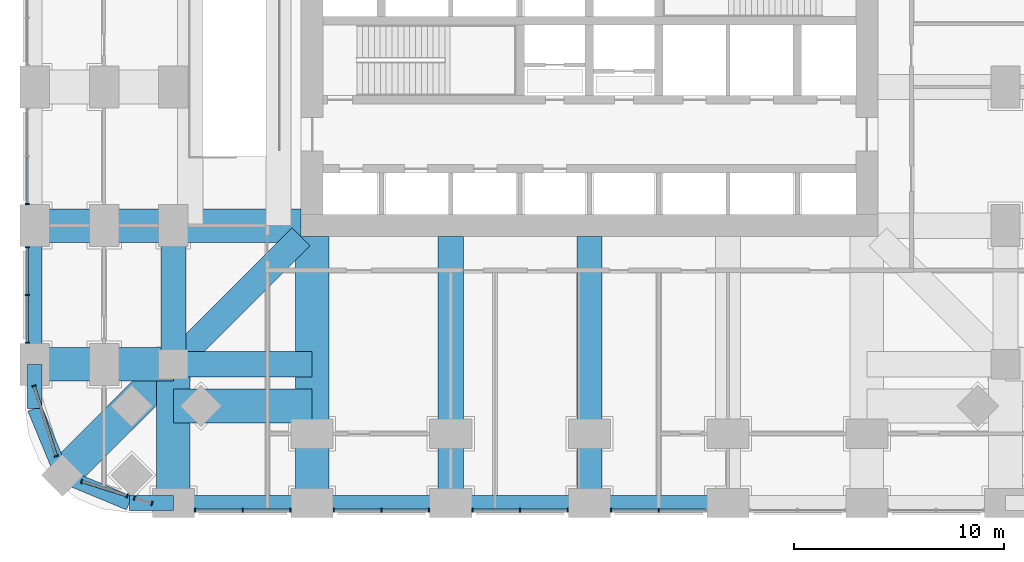
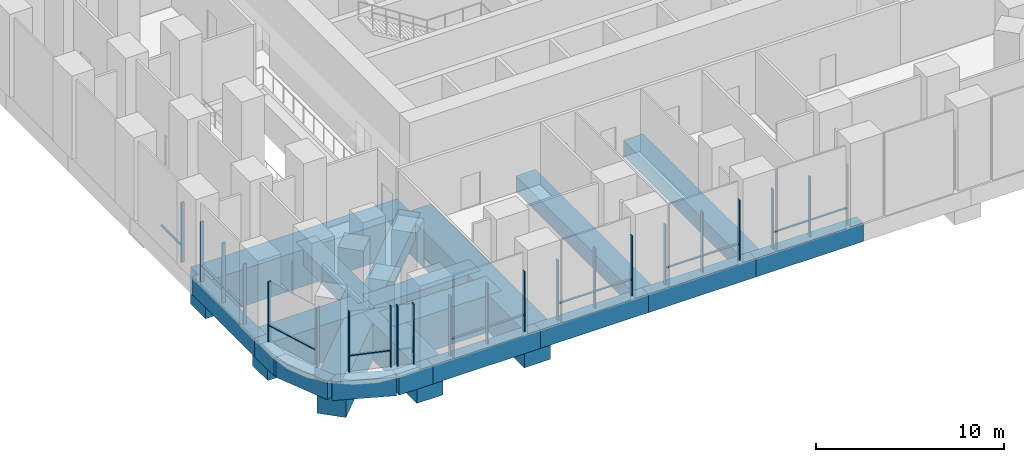
# One storey, part 2 of 17: 34 members, 20 beams, 9 elements without a shape of their own.
"""IFC4 building model written with IfcOpenShell, lengths in metres."""

from ifc_helpers import new_model, si_unit, direction, frame, origin, origin_2d, place, context, subcontext, project, spatial, rectangle, extrude, material, material_profile, profile_set, type_object, element, aggregate, save


model = new_model("IFC4")

# Units and contexts
model_context = context("Model", 3, precision=1e-05, world=origin(), true_north=direction((0.0, 1.0)))
body_context = subcontext(model_context, "Body", "Model", "MODEL_VIEW")
ifc_project = project(units=[si_unit("LENGTHUNIT", "METRE"), si_unit("AREAUNIT", "SQUARE_METRE"), si_unit("VOLUMEUNIT", "CUBIC_METRE"), si_unit("PLANEANGLEUNIT", "RADIAN"), si_unit("MASSUNIT", "GRAM", prefix="KILO")], contexts=[model_context])

# Site, building, storey
site_placement = place(None, origin())
site = spatial("IfcSite", under=ifc_project, at=site_placement, CompositionType="ELEMENT")
building_placement = place(site_placement, origin())
building = spatial("IfcBuilding", under=site, at=building_placement, Name="Cobogo Forest Laboratory Tower", CompositionType="ELEMENT")
storey_placement = place(building_placement, frame((0.0, 0.0, 7.199951171875)))
storey = spatial("IfcBuildingStorey", under=building, at=storey_placement, Name="L01", CompositionType="ELEMENT", Elevation=7.199951171875)

# Beams
ifc_material_1 = material(Name="Concrete HA-40 (C40/50)", Category="concrete")
ifc_material_profile_1 = material_profile(ifc_material_1, rectangle(XDim=1.199951171875, YDim=1.050048828125, at=origin_2d()), Name="RC 1200x1050")
ifc_profile_set_1 = profile_set([ifc_material_profile_1], Name="Concrete HA-40 (C40/50)")
beam_type_1 = type_object("IfcBeamType", Name="Laboratory floor wide beam 1200x1050", PredefinedType="BEAM", material=ifc_profile_set_1)
for number, where, z_axis, x_axis, name in (
    (1, (19.800048828125, 12.675048828125, -0.824951171875), (0.0, -1.0, 0.0), (1.0, 0.0, 0.0), "RB1 R-4-S L01"),
    (2, (26.39990234375, 12.675048828125, -0.824951171875), (0.0, -1.0, 0.0), (1.0, 0.0, 0.0), "RB1 R-5-S L01"),
):
    element("IfcBeam", number, at=place(storey_placement, frame(where, z_axis=z_axis, x_axis=x_axis)), inside=storey, type_object=beam_type_1, Name=name, PredefinedType="BEAM", context=body_context, shape_type="SweptSolid", body=[
        extrude(rectangle(XDim=1.199951171875, YDim=1.050048828125, at=origin_2d()), origin(), (0.0, 0.0, 1.0), 12.675048828125),
    ])
for number, where, z_axis, x_axis, name in (
    (3, (6.60009765625, 6.60009765625, -0.824951171875), (0.0, 1.0, 0.0), (-1.0, 0.0, 0.0), "RB1 G-SW-XC L01"),
    (4, (6.60009765625, 6.60009765625, -0.824951171875), (1.0, 0.0, 0.0), (0.0, 1.0, 0.0), "RB1 G-SW-YC L01"),
):
    element("IfcBeam", number, at=place(storey_placement, frame(where, z_axis=z_axis, x_axis=x_axis)), inside=storey, type_object=beam_type_1, Name=name, PredefinedType="BEAM", context=body_context, shape_type="SweptSolid", body=[
        extrude(rectangle(XDim=1.199951171875, YDim=1.050048828125, at=origin_2d()), origin(), (0.0, 0.0, 1.0), 6.599853515625),
    ])
beam_1_placement = place(storey_placement, frame((6.60009765625, 6.60009765625, -0.824951171875), z_axis=(0.707106781187, 0.707106781187, 0.0), x_axis=(-0.707106781187, 0.707106781187, 0.0)))
element("IfcBeam", 5, at=beam_1_placement, inside=storey, type_object=beam_type_1, Name="RB1 G-SW-D2 L01", PredefinedType="BEAM", context=body_context, shape_type="SweptSolid", body=[
    extrude(rectangle(XDim=1.199951171875, YDim=1.050048828125, at=origin_2d()), origin(), (0.0, 0.0, 1.0), 8.59130859375),
])

# Curtain wall, members
ifc_material_2 = material(Name="Aluminium curtain wall", Category="aluminium")
curtain_wall_type = type_object("IfcCurtainWallType", Name="CW-K stick curtain wall, podium laboratories", PredefinedType="USERDEFINED", material=ifc_material_2)
curtain_wall_1_placement = place(storey_placement, origin())
curtain_wall_1 = element("IfcCurtainWall", 6, at=curtain_wall_1_placement, inside=storey, type_object=curtain_wall_type, Name="Curtain wall 01 L01", ObjectType="STICK CURTAIN WALL", PredefinedType="USERDEFINED")
ifc_material_3 = material(Name="Aluminium mullion", Category="aluminium")
ifc_material_profile_2 = material_profile(ifc_material_3, rectangle(XDim=0.06005859375, YDim=0.199951171875, at=origin_2d()), Name="AL 60x200")
ifc_profile_set_2 = profile_set([ifc_material_profile_2], Name="Aluminium mullion")
member_type_1 = type_object("IfcMemberType", Name="MU-2 aluminium mullion 60x200", PredefinedType="MULLION", material=ifc_profile_set_2)
member_1_placement = place(storey_placement, frame((7.6298828125, -0.35009765625, 0.0), z_axis=(0.0, 0.0, 1.0), x_axis=(1.0, 0.0, 0.0)))
member_1 = element("IfcMember", 7, at=member_1_placement, type_object=member_type_1, Name="CW-K mullion 1", PredefinedType="MULLION", context=body_context, shape_type="SweptSolid", body=[
    extrude(rectangle(XDim=0.06005859375, YDim=0.199951171875, at=origin_2d()), origin(), (0.0, 0.0, 1.0), 3.900146484375),
])
member_2_placement = place(storey_placement, frame((9.89990234375, -0.35009765625, 0.0), z_axis=(0.0, 0.0, 1.0), x_axis=(1.0, 0.0, 0.0)))
member_2 = element("IfcMember", 8, at=member_2_placement, type_object=member_type_1, Name="CW-K mullion 2", PredefinedType="MULLION", context=body_context, shape_type="SweptSolid", body=[
    extrude(rectangle(XDim=0.06005859375, YDim=0.199951171875, at=origin_2d()), origin(), (0.0, 0.0, 1.0), 3.900146484375),
])
member_3_placement = place(storey_placement, frame((12.169921875, -0.35009765625, 0.0), z_axis=(0.0, 0.0, 1.0), x_axis=(1.0, 0.0, 0.0)))
member_3 = element("IfcMember", 9, at=member_3_placement, type_object=member_type_1, Name="CW-K mullion 3", PredefinedType="MULLION", context=body_context, shape_type="SweptSolid", body=[
    extrude(rectangle(XDim=0.06005859375, YDim=0.199951171875, at=origin_2d()), origin(), (0.0, 0.0, 1.0), 3.900146484375),
])

curtain_wall_2_placement = place(storey_placement, origin())
curtain_wall_2 = element("IfcCurtainWall", 10, at=curtain_wall_2_placement, inside=storey, type_object=curtain_wall_type, Name="Curtain wall 02 L01", ObjectType="STICK CURTAIN WALL", PredefinedType="USERDEFINED")
member_4_placement = place(storey_placement, frame((14.22998046875, -0.35009765625, 0.0), z_axis=(0.0, 0.0, 1.0), x_axis=(1.0, 0.0, 0.0)))
member_4 = element("IfcMember", 11, at=member_4_placement, type_object=member_type_1, Name="CW-K mullion 1", PredefinedType="MULLION", context=body_context, shape_type="SweptSolid", body=[
    extrude(rectangle(XDim=0.06005859375, YDim=0.199951171875, at=origin_2d()), origin(), (0.0, 0.0, 1.0), 3.900146484375),
])
member_5_placement = place(storey_placement, frame((16.5, -0.35009765625, 0.0), z_axis=(0.0, 0.0, 1.0), x_axis=(1.0, 0.0, 0.0)))
member_5 = element("IfcMember", 12, at=member_5_placement, type_object=member_type_1, Name="CW-K mullion 2", PredefinedType="MULLION", context=body_context, shape_type="SweptSolid", body=[
    extrude(rectangle(XDim=0.06005859375, YDim=0.199951171875, at=origin_2d()), origin(), (0.0, 0.0, 1.0), 3.900146484375),
])
member_6_placement = place(storey_placement, frame((18.77001953125, -0.35009765625, 0.0), z_axis=(0.0, 0.0, 1.0), x_axis=(1.0, 0.0, 0.0)))
member_6 = element("IfcMember", 13, at=member_6_placement, type_object=member_type_1, Name="CW-K mullion 3", PredefinedType="MULLION", context=body_context, shape_type="SweptSolid", body=[
    extrude(rectangle(XDim=0.06005859375, YDim=0.199951171875, at=origin_2d()), origin(), (0.0, 0.0, 1.0), 3.900146484375),
])

curtain_wall_3_placement = place(storey_placement, origin())
curtain_wall_3 = element("IfcCurtainWall", 14, at=curtain_wall_3_placement, inside=storey, type_object=curtain_wall_type, Name="Curtain wall 03 L01", ObjectType="STICK CURTAIN WALL", PredefinedType="USERDEFINED")
member_7_placement = place(storey_placement, frame((20.830078125, -0.35009765625, 0.0), z_axis=(0.0, 0.0, 1.0), x_axis=(1.0, 0.0, 0.0)))
member_7 = element("IfcMember", 15, at=member_7_placement, type_object=member_type_1, Name="CW-K mullion 1", PredefinedType="MULLION", context=body_context, shape_type="SweptSolid", body=[
    extrude(rectangle(XDim=0.06005859375, YDim=0.199951171875, at=origin_2d()), origin(), (0.0, 0.0, 1.0), 3.900146484375),
])
member_8_placement = place(storey_placement, frame((23.10009765625, -0.35009765625, 0.0), z_axis=(0.0, 0.0, 1.0), x_axis=(1.0, 0.0, 0.0)))
member_8 = element("IfcMember", 16, at=member_8_placement, type_object=member_type_1, Name="CW-K mullion 2", PredefinedType="MULLION", context=body_context, shape_type="SweptSolid", body=[
    extrude(rectangle(XDim=0.06005859375, YDim=0.199951171875, at=origin_2d()), origin(), (0.0, 0.0, 1.0), 3.900146484375),
])
member_9_placement = place(storey_placement, frame((25.3701171875, -0.35009765625, 0.0), z_axis=(0.0, 0.0, 1.0), x_axis=(1.0, 0.0, 0.0)))
member_9 = element("IfcMember", 17, at=member_9_placement, type_object=member_type_1, Name="CW-K mullion 3", PredefinedType="MULLION", context=body_context, shape_type="SweptSolid", body=[
    extrude(rectangle(XDim=0.06005859375, YDim=0.199951171875, at=origin_2d()), origin(), (0.0, 0.0, 1.0), 3.900146484375),
])

curtain_wall_4_placement = place(storey_placement, origin())
curtain_wall_4 = element("IfcCurtainWall", 18, at=curtain_wall_4_placement, inside=storey, type_object=curtain_wall_type, Name="Curtain wall 04 L01", ObjectType="STICK CURTAIN WALL", PredefinedType="USERDEFINED")
member_10_placement = place(storey_placement, frame((27.429931640625, -0.35009765625, 0.0), z_axis=(0.0, 0.0, 1.0), x_axis=(1.0, 0.0, 0.0)))
member_10 = element("IfcMember", 19, at=member_10_placement, type_object=member_type_1, Name="CW-K mullion 1", PredefinedType="MULLION", context=body_context, shape_type="SweptSolid", body=[
    extrude(rectangle(XDim=0.06005859375, YDim=0.199951171875, at=origin_2d()), origin(), (0.0, 0.0, 1.0), 3.900146484375),
])
member_11_placement = place(storey_placement, frame((29.699951171875, -0.35009765625, 0.0), z_axis=(0.0, 0.0, 1.0), x_axis=(1.0, 0.0, 0.0)))
member_11 = element("IfcMember", 20, at=member_11_placement, type_object=member_type_1, Name="CW-K mullion 2", PredefinedType="MULLION", context=body_context, shape_type="SweptSolid", body=[
    extrude(rectangle(XDim=0.06005859375, YDim=0.199951171875, at=origin_2d()), origin(), (0.0, 0.0, 1.0), 3.900146484375),
])

# Curtain wall, member
curtain_wall_5_placement = place(storey_placement, origin())
curtain_wall_5 = element("IfcCurtainWall", 21, at=curtain_wall_5_placement, inside=storey, type_object=curtain_wall_type, Name="Curtain wall 30 L01", ObjectType="STICK CURTAIN WALL", PredefinedType="USERDEFINED")
member_12_placement = place(storey_placement, frame((-0.35009765625, 14.22998046875, 0.0), z_axis=(0.0, 0.0, 1.0), x_axis=(0.0, -1.0, 0.0)))
member_12 = element("IfcMember", 22, at=member_12_placement, type_object=member_type_1, Name="CW-K mullion 3", PredefinedType="MULLION", context=body_context, shape_type="SweptSolid", body=[
    extrude(rectangle(XDim=0.06005859375, YDim=0.199951171875, at=origin_2d()), origin(), (0.0, 0.0, 1.0), 3.900146484375),
])

# Curtain wall, members
curtain_wall_6_placement = place(storey_placement, origin())
curtain_wall_6 = element("IfcCurtainWall", 23, at=curtain_wall_6_placement, inside=storey, type_object=curtain_wall_type, Name="Curtain wall 31 L01", ObjectType="STICK CURTAIN WALL", PredefinedType="USERDEFINED")
member_13_placement = place(storey_placement, frame((-0.35009765625, 12.169921875, 0.0), z_axis=(0.0, 0.0, 1.0), x_axis=(0.0, -1.0, 0.0)))
member_13 = element("IfcMember", 24, at=member_13_placement, type_object=member_type_1, Name="CW-K mullion 1", PredefinedType="MULLION", context=body_context, shape_type="SweptSolid", body=[
    extrude(rectangle(XDim=0.06005859375, YDim=0.199951171875, at=origin_2d()), origin(), (0.0, 0.0, 1.0), 3.900146484375),
])
member_14_placement = place(storey_placement, frame((-0.35009765625, 9.89990234375, 0.0), z_axis=(0.0, 0.0, 1.0), x_axis=(0.0, -1.0, 0.0)))
member_14 = element("IfcMember", 25, at=member_14_placement, type_object=member_type_1, Name="CW-K mullion 2", PredefinedType="MULLION", context=body_context, shape_type="SweptSolid", body=[
    extrude(rectangle(XDim=0.06005859375, YDim=0.199951171875, at=origin_2d()), origin(), (0.0, 0.0, 1.0), 3.900146484375),
])
member_15_placement = place(storey_placement, frame((-0.35009765625, 7.6298828125, 0.0), z_axis=(0.0, 0.0, 1.0), x_axis=(0.0, -1.0, 0.0)))
member_15 = element("IfcMember", 26, at=member_15_placement, type_object=member_type_1, Name="CW-K mullion 3", PredefinedType="MULLION", context=body_context, shape_type="SweptSolid", body=[
    extrude(rectangle(XDim=0.06005859375, YDim=0.199951171875, at=origin_2d()), origin(), (0.0, 0.0, 1.0), 3.900146484375),
])

curtain_wall_7_placement = place(storey_placement, origin())
curtain_wall_7 = element("IfcCurtainWall", 27, at=curtain_wall_7_placement, inside=storey, type_object=curtain_wall_type, Name="Curtain wall 32 L01", ObjectType="STICK CURTAIN WALL", PredefinedType="USERDEFINED")
member_16_placement = place(storey_placement, frame((-0.025146484375, 5.5712890625, 0.0), z_axis=(0.0, 0.0, 1.0), x_axis=(0.301135433696, -0.953581381201, 0.0)))
member_16 = element("IfcMember", 28, at=member_16_placement, type_object=member_type_1, Name="CW-K mullion 1", PredefinedType="MULLION", context=body_context, shape_type="SweptSolid", body=[
    extrude(rectangle(XDim=0.06005859375, YDim=0.199951171875, at=origin_2d()), origin(), (0.0, 0.0, 1.0), 3.900146484375),
])
member_17_placement = place(storey_placement, frame((1.02734375, 2.23876953125, 0.0), z_axis=(0.0, 0.0, 1.0), x_axis=(0.301135433696, -0.953581381201, 0.0)))
member_17 = element("IfcMember", 29, at=member_17_placement, type_object=member_type_1, Name="CW-K mullion 2", PredefinedType="MULLION", context=body_context, shape_type="SweptSolid", body=[
    extrude(rectangle(XDim=0.06005859375, YDim=0.199951171875, at=origin_2d()), origin(), (0.0, 0.0, 1.0), 3.900146484375),
])

curtain_wall_8_placement = place(storey_placement, origin())
curtain_wall_8 = element("IfcCurtainWall", 30, at=curtain_wall_8_placement, inside=storey, type_object=curtain_wall_type, Name="Curtain wall 33 L01", ObjectType="STICK CURTAIN WALL", PredefinedType="USERDEFINED")
member_18_placement = place(storey_placement, frame((2.23876953125, 1.02734375, 0.0), z_axis=(0.0, 0.0, 1.0), x_axis=(0.953581409645, -0.301135343623, 0.0)))
member_18 = element("IfcMember", 31, at=member_18_placement, type_object=member_type_1, Name="CW-K mullion 1", PredefinedType="MULLION", context=body_context, shape_type="SweptSolid", body=[
    extrude(rectangle(XDim=0.06005859375, YDim=0.199951171875, at=origin_2d()), origin(), (0.0, 0.0, 1.0), 3.900146484375),
])
member_19_placement = place(storey_placement, frame((4.39697265625, 0.345703125, 0.0), z_axis=(0.0, 0.0, 1.0), x_axis=(0.953581409645, -0.301135343623, 0.0)))
member_19 = element("IfcMember", 32, at=member_19_placement, type_object=member_type_1, Name="CW-K mullion 2", PredefinedType="MULLION", context=body_context, shape_type="SweptSolid", body=[
    extrude(rectangle(XDim=0.06005859375, YDim=0.199951171875, at=origin_2d()), origin(), (0.0, 0.0, 1.0), 3.900146484375),
])

curtain_wall_9_placement = place(storey_placement, origin())
curtain_wall_9 = element("IfcCurtainWall", 33, at=curtain_wall_9_placement, inside=storey, type_object=curtain_wall_type, Name="Curtain wall 34 L01", ObjectType="STICK CURTAIN WALL", PredefinedType="USERDEFINED")
member_20_placement = place(storey_placement, frame((4.74658203125, 0.2353515625, 0.0), z_axis=(0.0, 0.0, 1.0), x_axis=(0.953581406818, -0.301135352577, 0.0)))
member_20 = element("IfcMember", 34, at=member_20_placement, type_object=member_type_1, Name="CW-K mullion 1", PredefinedType="MULLION", context=body_context, shape_type="SweptSolid", body=[
    extrude(rectangle(XDim=0.06005859375, YDim=0.199951171875, at=origin_2d()), origin(), (0.0, 0.0, 1.0), 3.900146484375),
])
member_21_placement = place(storey_placement, frame((5.5712890625, -0.025146484375, 0.0), z_axis=(0.0, 0.0, 1.0), x_axis=(0.953581406818, -0.301135352577, 0.0)))
member_21 = element("IfcMember", 35, at=member_21_placement, type_object=member_type_1, Name="CW-K mullion 2", PredefinedType="MULLION", context=body_context, shape_type="SweptSolid", body=[
    extrude(rectangle(XDim=0.06005859375, YDim=0.199951171875, at=origin_2d()), origin(), (0.0, 0.0, 1.0), 3.900146484375),
])
aggregate(curtain_wall_9, [member_20, member_21])

# Beams
ifc_material_profile_3 = material_profile(ifc_material_1, rectangle(XDim=0.699951171875, YDim=1.199951171875, at=origin_2d()), Name="RC 700x1200")
ifc_profile_set_3 = profile_set([ifc_material_profile_3], Name="Concrete HA-40 (C40/50)")
beam_type_2 = type_object("IfcBeamType", Name="Perimeter edge beam 700x1200", PredefinedType="BEAM", material=ifc_profile_set_3)
beam_2_placement = place(storey_placement, frame((6.60009765625, 0.0, -0.89990234375), z_axis=(1.0, 0.0, 0.0), x_axis=(0.0, 1.0, 0.0)))
element("IfcBeam", 36, at=beam_2_placement, inside=storey, type_object=beam_type_2, Name="EB1 E-S1 L01", PredefinedType="BEAM", context=body_context, shape_type="SweptSolid", body=[
    extrude(rectangle(XDim=0.699951171875, YDim=1.199951171875, at=origin_2d()), origin(), (0.0, 0.0, 1.0), 6.599853515625),
])
beam_3_placement = place(storey_placement, frame((13.199951171875, 0.0, -0.89990234375), z_axis=(1.0, 0.0, 0.0), x_axis=(0.0, 1.0, 0.0)))
element("IfcBeam", 37, at=beam_3_placement, inside=storey, type_object=beam_type_2, Name="EB1 E-S2 L01", PredefinedType="BEAM", context=body_context, shape_type="SweptSolid", body=[
    extrude(rectangle(XDim=0.699951171875, YDim=1.199951171875, at=origin_2d()), origin(), (0.0, 0.0, 1.0), 6.60009765625),
])
beam_4_placement = place(storey_placement, frame((19.800048828125, 0.0, -0.89990234375), z_axis=(1.0, 0.0, 0.0), x_axis=(0.0, 1.0, 0.0)))
element("IfcBeam", 38, at=beam_4_placement, inside=storey, type_object=beam_type_2, Name="EB1 E-S3 L01", PredefinedType="BEAM", context=body_context, shape_type="SweptSolid", body=[
    extrude(rectangle(XDim=0.699951171875, YDim=1.199951171875, at=origin_2d()), origin(), (0.0, 0.0, 1.0), 6.599853515625),
])
beam_5_placement = place(storey_placement, frame((26.39990234375, 0.0, -0.89990234375), z_axis=(1.0, 0.0, 0.0), x_axis=(0.0, 1.0, 0.0)))
element("IfcBeam", 39, at=beam_5_placement, inside=storey, type_object=beam_type_2, Name="EB1 E-S4 L01", PredefinedType="BEAM", context=body_context, shape_type="SweptSolid", body=[
    extrude(rectangle(XDim=0.699951171875, YDim=1.199951171875, at=origin_2d()), origin(), (0.0, 0.0, 1.0), 6.60009765625),
])
beam_6_placement = place(storey_placement, frame((0.0, 6.60009765625, -0.89990234375), z_axis=(0.0, 1.0, 0.0), x_axis=(-1.0, 0.0, 0.0)))
element("IfcBeam", 40, at=beam_6_placement, inside=storey, type_object=beam_type_2, Name="EB1 E-W1 L01", PredefinedType="BEAM", context=body_context, shape_type="SweptSolid", body=[
    extrude(rectangle(XDim=0.699951171875, YDim=1.199951171875, at=origin_2d()), origin(), (0.0, 0.0, 1.0), 6.599853515625),
])
beam_7_placement = place(storey_placement, frame((6.60009765625, 0.0, -0.89990234375), z_axis=(-1.0, 0.0, 0.0), x_axis=(0.0, -1.0, 0.0)))
element("IfcBeam", 41, at=beam_7_placement, inside=storey, type_object=beam_type_2, Name="EB1 E-SWS1 L01", PredefinedType="BEAM", context=body_context, shape_type="SweptSolid", body=[
    extrude(rectangle(XDim=0.699951171875, YDim=1.199951171875, at=origin_2d()), origin(), (0.0, 0.0, 1.0), 2.10009765625),
])
beam_8_placement = place(storey_placement, frame((4.5, 0.0, -0.89990234375), z_axis=(-0.923865631356, 0.382716990999, 0.0), x_axis=(-0.382716990999, -0.923865631356, 0.0)))
element("IfcBeam", 42, at=beam_8_placement, inside=storey, type_object=beam_type_2, Name="EB1 E-SWS2 L01", PredefinedType="BEAM", context=body_context, shape_type="SweptSolid", body=[
    extrude(rectangle(XDim=0.699951171875, YDim=1.199951171875, at=origin_2d()), origin(), (0.0, 0.0, 1.0), 3.444091796875),
])
beam_9_placement = place(storey_placement, frame((0.0, 6.60009765625, -0.89990234375), z_axis=(0.0, -1.0, 0.0), x_axis=(1.0, 0.0, 0.0)))
element("IfcBeam", 43, at=beam_9_placement, inside=storey, type_object=beam_type_2, Name="EB1 E-SWW1 L01", PredefinedType="BEAM", context=body_context, shape_type="SweptSolid", body=[
    extrude(rectangle(XDim=0.699951171875, YDim=1.199951171875, at=origin_2d()), origin(), (0.0, 0.0, 1.0), 2.10009765625),
])
beam_10_placement = place(storey_placement, frame((0.0, 4.5, -0.89990234375), z_axis=(0.382716990999, -0.923865631356, 0.0), x_axis=(0.923865631356, 0.382716990999, 0.0)))
element("IfcBeam", 44, at=beam_10_placement, inside=storey, type_object=beam_type_2, Name="EB1 E-SWW2 L01", PredefinedType="BEAM", context=body_context, shape_type="SweptSolid", body=[
    extrude(rectangle(XDim=0.699951171875, YDim=1.199951171875, at=origin_2d()), origin(), (0.0, 0.0, 1.0), 3.444091796875),
])
ifc_material_4 = material(Name="Concrete HA-50 (C50/60)", Category="concrete")
ifc_material_profile_4 = material_profile(ifc_material_4, rectangle(XDim=1.60009765625, YDim=2.39990234375, at=origin_2d()), Name="RC 1600x2400")
ifc_profile_set_4 = profile_set([ifc_material_profile_4], Name="Concrete HA-50 (C50/60)")
beam_type_3 = type_object("IfcBeamType", Name="Podium transfer girder 1600x2400", PredefinedType="BEAM", material=ifc_profile_set_4)
for number, where, z_axis, x_axis, name in (
    (45, (13.199951171875, 12.675048828125, -1.5), (0.0, -1.0, 0.0), (1.0, 0.0, 0.0), "TG4 R-3-S L01"),
    (46, (12.675048828125, 13.199951171875, -1.5), (-1.0, 0.0, 0.0), (0.0, -1.0, 0.0), "TG4 R-C-W L01"),
):
    element("IfcBeam", number, at=place(storey_placement, frame(where, z_axis=z_axis, x_axis=x_axis)), inside=storey, type_object=beam_type_3, Name=name, PredefinedType="BEAM", context=body_context, shape_type="SweptSolid", body=[
        extrude(rectangle(XDim=1.60009765625, YDim=2.39990234375, at=origin_2d()), origin(), (0.0, 0.0, 1.0), 12.675048828125),
    ])
for number, where, z_axis, x_axis, name in (
    (47, (6.60009765625, 0.0, -1.5), (0.0, 1.0, 0.0), (-1.0, 0.0, 0.0), "TG4 G-SW-XF L01"),
    (48, (0.0, 6.60009765625, -1.5), (1.0, 0.0, 0.0), (0.0, 1.0, 0.0), "TG4 G-SW-YF L01"),
):
    element("IfcBeam", number, at=place(storey_placement, frame(where, z_axis=z_axis, x_axis=x_axis)), inside=storey, type_object=beam_type_3, Name=name, PredefinedType="BEAM", context=body_context, shape_type="SweptSolid", body=[
        extrude(rectangle(XDim=1.60009765625, YDim=2.39990234375, at=origin_2d()), origin(), (0.0, 0.0, 1.0), 6.60009765625),
    ])
beam_11_placement = place(storey_placement, frame((1.318115234375, 1.318115234375, -1.5), z_axis=(0.707106781187, 0.707106781187, 0.0), x_axis=(-0.707106781187, 0.707106781187, 0.0)))
element("IfcBeam", 49, at=beam_11_placement, inside=storey, type_object=beam_type_3, Name="TG4 G-SW-D1 L01", PredefinedType="BEAM", context=body_context, shape_type="SweptSolid", body=[
    extrude(rectangle(XDim=1.60009765625, YDim=2.39990234375, at=origin_2d()), origin(), (0.0, 0.0, 1.0), 7.469970703125),
])
beam_12_placement = place(storey_placement, frame((6.60009765625, 4.617919921875, -1.5), z_axis=(1.0, 0.0, 0.0), x_axis=(0.0, 1.0, 0.0)))
element("IfcBeam", 50, at=beam_12_placement, inside=storey, type_object=beam_type_3, Name="TG4 T-CNR-SW-D L01", PredefinedType="BEAM", context=body_context, shape_type="SweptSolid", body=[
    extrude(rectangle(XDim=1.60009765625, YDim=2.39990234375, at=origin_2d()), origin(), (0.0, 0.0, 1.0), 6.599853515625),
])

# Member
ifc_material_5 = material(Name="Aluminium transom", Category="aluminium")
ifc_material_profile_5 = material_profile(ifc_material_5, rectangle(XDim=0.1201171875, YDim=0.06005859375, at=origin_2d()), Name="AL 60x120")
ifc_profile_set_5 = profile_set([ifc_material_profile_5], Name="Aluminium transom")
member_type_2 = type_object("IfcMemberType", Name="TR-1 aluminium transom 60x120", PredefinedType="USERDEFINED", material=ifc_profile_set_5)
member_22_placement = place(storey_placement, frame((7.659912109375, -0.35009765625, 1.050048828125), z_axis=(1.0, 0.0, 0.0), x_axis=(0.0, 1.0, 0.0)))
member_22 = element("IfcMember", 51, at=member_22_placement, type_object=member_type_2, Name="CW-K transom 1.1", ObjectType="TRANSOM", PredefinedType="USERDEFINED", context=body_context, shape_type="SweptSolid", body=[
    extrude(rectangle(XDim=0.1201171875, YDim=0.06005859375, at=origin_2d()), origin(), (0.0, 0.0, 1.0), 2.210205078125),
])

member_23_placement = place(storey_placement, frame((9.929931640625, -0.35009765625, 1.050048828125), z_axis=(1.0, 0.0, 0.0), x_axis=(0.0, 1.0, 0.0)))
member_23 = element("IfcMember", 52, at=member_23_placement, type_object=member_type_2, Name="CW-K transom 2.1", ObjectType="TRANSOM", PredefinedType="USERDEFINED", context=body_context, shape_type="SweptSolid", body=[
    extrude(rectangle(XDim=0.1201171875, YDim=0.06005859375, at=origin_2d()), origin(), (0.0, 0.0, 1.0), 2.2099609375),
])

aggregate(curtain_wall_1, [member_1, member_2, member_3, member_22, member_23])

member_24_placement = place(storey_placement, frame((14.260009765625, -0.35009765625, 1.050048828125), z_axis=(1.0, 0.0, 0.0), x_axis=(0.0, 1.0, 0.0)))
member_24 = element("IfcMember", 53, at=member_24_placement, type_object=member_type_2, Name="CW-K transom 1.1", ObjectType="TRANSOM", PredefinedType="USERDEFINED", context=body_context, shape_type="SweptSolid", body=[
    extrude(rectangle(XDim=0.1201171875, YDim=0.06005859375, at=origin_2d()), origin(), (0.0, 0.0, 1.0), 2.2099609375),
])

member_25_placement = place(storey_placement, frame((16.530029296875, -0.35009765625, 1.050048828125), z_axis=(1.0, 0.0, 0.0), x_axis=(0.0, 1.0, 0.0)))
member_25 = element("IfcMember", 54, at=member_25_placement, type_object=member_type_2, Name="CW-K transom 2.1", ObjectType="TRANSOM", PredefinedType="USERDEFINED", context=body_context, shape_type="SweptSolid", body=[
    extrude(rectangle(XDim=0.1201171875, YDim=0.06005859375, at=origin_2d()), origin(), (0.0, 0.0, 1.0), 2.2099609375),
])

aggregate(curtain_wall_2, [member_4, member_5, member_6, member_24, member_25])

member_26_placement = place(storey_placement, frame((20.860107421875, -0.35009765625, 1.050048828125), z_axis=(1.0, 0.0, 0.0), x_axis=(0.0, 1.0, 0.0)))
member_26 = element("IfcMember", 55, at=member_26_placement, type_object=member_type_2, Name="CW-K transom 1.1", ObjectType="TRANSOM", PredefinedType="USERDEFINED", context=body_context, shape_type="SweptSolid", body=[
    extrude(rectangle(XDim=0.1201171875, YDim=0.06005859375, at=origin_2d()), origin(), (0.0, 0.0, 1.0), 2.2099609375),
])

member_27_placement = place(storey_placement, frame((23.1298828125, -0.35009765625, 1.050048828125), z_axis=(1.0, 0.0, 0.0), x_axis=(0.0, 1.0, 0.0)))
member_27 = element("IfcMember", 56, at=member_27_placement, type_object=member_type_2, Name="CW-K transom 2.1", ObjectType="TRANSOM", PredefinedType="USERDEFINED", context=body_context, shape_type="SweptSolid", body=[
    extrude(rectangle(XDim=0.1201171875, YDim=0.06005859375, at=origin_2d()), origin(), (0.0, 0.0, 1.0), 2.210205078125),
])

aggregate(curtain_wall_3, [member_7, member_8, member_9, member_26, member_27])

member_28_placement = place(storey_placement, frame((27.4599609375, -0.35009765625, 1.050048828125), z_axis=(1.0, 0.0, 0.0), x_axis=(0.0, 1.0, 0.0)))
member_28 = element("IfcMember", 57, at=member_28_placement, type_object=member_type_2, Name="CW-K transom 1.1", ObjectType="TRANSOM", PredefinedType="USERDEFINED", context=body_context, shape_type="SweptSolid", body=[
    extrude(rectangle(XDim=0.1201171875, YDim=0.06005859375, at=origin_2d()), origin(), (0.0, 0.0, 1.0), 2.2099609375),
])

member_29_placement = place(storey_placement, frame((29.72998046875, -0.35009765625, 1.050048828125), z_axis=(1.0, 0.0, 0.0), x_axis=(0.0, 1.0, 0.0)))
member_29 = element("IfcMember", 58, at=member_29_placement, type_object=member_type_2, Name="CW-K transom 2.1", ObjectType="TRANSOM", PredefinedType="USERDEFINED", context=body_context, shape_type="SweptSolid", body=[
    extrude(rectangle(XDim=0.1201171875, YDim=0.06005859375, at=origin_2d()), origin(), (0.0, 0.0, 1.0), 2.2099609375),
])

aggregate(curtain_wall_4, [member_10, member_11, member_28, member_29])

member_30_placement = place(storey_placement, frame((-0.35009765625, 16.469970703125, 1.050048828125), z_axis=(0.0, -1.0, 0.0), x_axis=(1.0, 0.0, 0.0)))
member_30 = element("IfcMember", 59, at=member_30_placement, type_object=member_type_2, Name="CW-K transom 2.1", ObjectType="TRANSOM", PredefinedType="USERDEFINED", context=body_context, shape_type="SweptSolid", body=[
    extrude(rectangle(XDim=0.1201171875, YDim=0.06005859375, at=origin_2d()), origin(), (0.0, 0.0, 1.0), 2.2099609375),
])

aggregate(curtain_wall_5, [member_12, member_30])

member_31_placement = place(storey_placement, frame((-0.35009765625, 12.139892578125, 1.050048828125), z_axis=(0.0, -1.0, 0.0), x_axis=(1.0, 0.0, 0.0)))
member_31 = element("IfcMember", 60, at=member_31_placement, type_object=member_type_2, Name="CW-K transom 1.1", ObjectType="TRANSOM", PredefinedType="USERDEFINED", context=body_context, shape_type="SweptSolid", body=[
    extrude(rectangle(XDim=0.1201171875, YDim=0.06005859375, at=origin_2d()), origin(), (0.0, 0.0, 1.0), 2.2099609375),
])

member_32_placement = place(storey_placement, frame((-0.35009765625, 9.8701171875, 1.050048828125), z_axis=(0.0, -1.0, 0.0), x_axis=(1.0, 0.0, 0.0)))
member_32 = element("IfcMember", 61, at=member_32_placement, type_object=member_type_2, Name="CW-K transom 2.1", ObjectType="TRANSOM", PredefinedType="USERDEFINED", context=body_context, shape_type="SweptSolid", body=[
    extrude(rectangle(XDim=0.1201171875, YDim=0.06005859375, at=origin_2d()), origin(), (0.0, 0.0, 1.0), 2.210205078125),
])

aggregate(curtain_wall_6, [member_13, member_14, member_15, member_31, member_32])

member_33_placement = place(storey_placement, frame((-0.01611328125, 5.542724609375, 1.050048828125), z_axis=(0.301155179686, -0.953575145308, 0.0), x_axis=(0.953575145308, 0.301155179686, 0.0)))
member_33 = element("IfcMember", 62, at=member_33_placement, type_object=member_type_2, Name="CW-K transom 1.1", ObjectType="TRANSOM", PredefinedType="USERDEFINED", context=body_context, shape_type="SweptSolid", body=[
    extrude(rectangle(XDim=0.1201171875, YDim=0.06005859375, at=origin_2d()), origin(), (0.0, 0.0, 1.0), 3.434814453125),
])

aggregate(curtain_wall_7, [member_16, member_17, member_33])

member_34_placement = place(storey_placement, frame((2.267333984375, 1.018310546875, 1.050048828125), z_axis=(0.953572616955, -0.301163185322, 0.0), x_axis=(0.301163185322, 0.953572616955, 0.0)))
member_34 = element("IfcMember", 63, at=member_34_placement, type_object=member_type_2, Name="CW-K transom 1.1", ObjectType="TRANSOM", PredefinedType="USERDEFINED", context=body_context, shape_type="SweptSolid", body=[
    extrude(rectangle(XDim=0.1201171875, YDim=0.06005859375, at=origin_2d()), origin(), (0.0, 0.0, 1.0), 2.203369140625),
])

aggregate(curtain_wall_8, [member_18, member_19, member_34])

save(model, "model.ifc")
